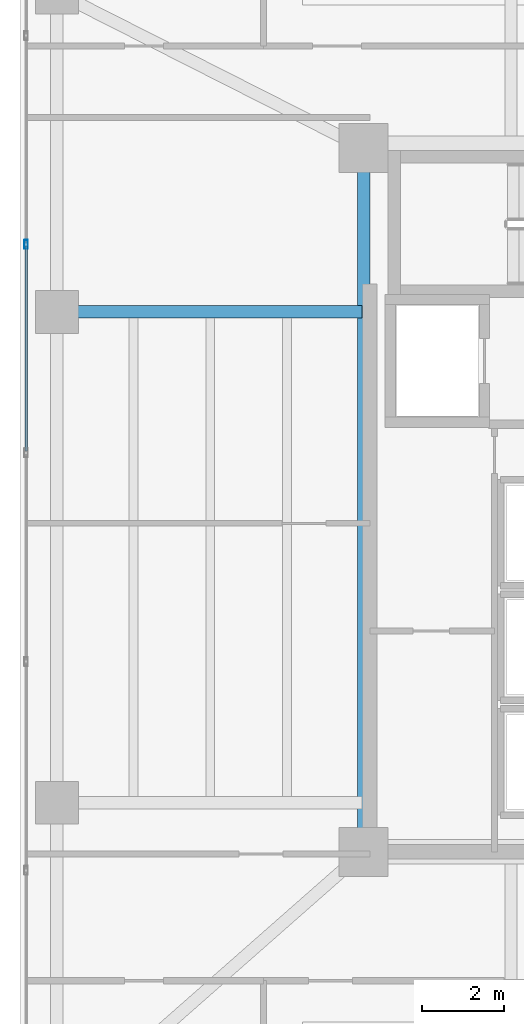
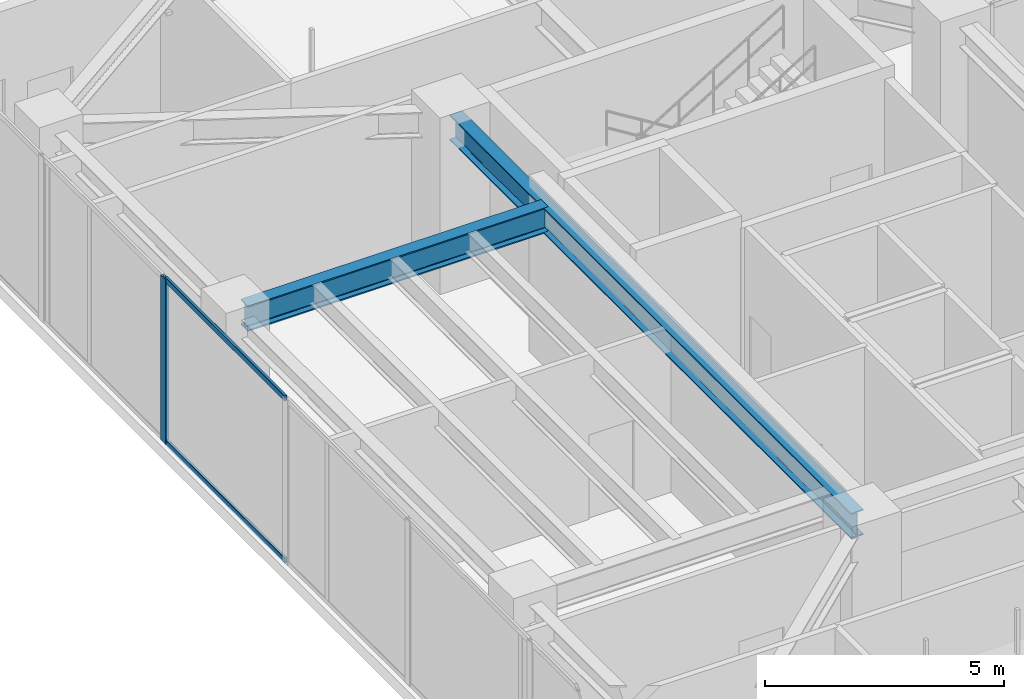
# One storey, part 10 of 38: 3 members, 2 beams, 1 element without a shape of its own.
"""IFC4 building model written with IfcOpenShell, lengths in metres."""

from ifc_helpers import new_model, si_unit, direction, frame, origin, origin_2d, place, context, subcontext, project, spatial, hollow_rectangle, i_section, extrude, material, layer, layer_set, material_profile, profile_set, type_object, element, aggregate, save


model = new_model("IFC4")

# Units and contexts
model_context = context("Model", 3, precision=1e-05, world=origin(), true_north=direction((0.0, 1.0)))
body_context = subcontext(model_context, "Body", "Model", "MODEL_VIEW")
ifc_project = project(units=[si_unit("LENGTHUNIT", "METRE"), si_unit("AREAUNIT", "SQUARE_METRE"), si_unit("VOLUMEUNIT", "CUBIC_METRE"), si_unit("PLANEANGLEUNIT", "RADIAN"), si_unit("MASSUNIT", "GRAM", prefix="KILO")], contexts=[model_context])

# Site, building, storey
site_placement = place(None, origin())
site = spatial("IfcSite", under=ifc_project, at=site_placement, CompositionType="ELEMENT")
building_placement = place(site_placement, origin())
building = spatial("IfcBuilding", under=site, at=building_placement, Name="Tarnavaz Court Tower", CompositionType="ELEMENT")
storey_placement = place(building_placement, frame((0.0, 0.0, 123.0)))
storey = spatial("IfcBuildingStorey", under=building, at=storey_placement, Name="L33", CompositionType="ELEMENT", Elevation=123.0)

# Beams
ifc_material_1 = material(Name="Steel S355", Category="steel")
ifc_material_profile_1 = material_profile(ifc_material_1, i_section(OverallWidth=0.300048828125, OverallDepth=0.64990234375, WebThickness=0.01611328125, FlangeThickness=0.031005859375, FilletRadius=0.027099609375, at=origin_2d()), Name="HEB 650")
ifc_profile_set_1 = profile_set([ifc_material_profile_1], Name="Steel S355")
beam_type = type_object("IfcBeamType", Name="BM-G-HEB650", PredefinedType="USERDEFINED", material=ifc_profile_set_1)
beam_1_placement = place(storey_placement, frame((-18.60009765625, -6.97998046875, 3.875), z_axis=(0.0, 1.0, 0.0), x_axis=(-1.0, 0.0, 0.0)))
element("IfcBeam", 1, at=beam_1_placement, inside=storey, type_object=beam_type, Name="L33 Beam IN-CW-SO-CW-NO", ObjectType="GIRDER", PredefinedType="USERDEFINED", context=body_context, shape_type="SweptSolid", body=[
    extrude(i_section(OverallWidth=0.300048828125, OverallDepth=0.64990234375, WebThickness=0.01611328125, FlangeThickness=0.031005859375, FilletRadius=0.027099609375, at=origin_2d()), origin(), (0.0, 0.0, 1.0), 16.760009765625),
])
beam_2_placement = place(storey_placement, frame((-18.639892578125, 6.0, 3.875), z_axis=(-1.0, 0.0, 0.0), x_axis=(0.0, -1.0, 0.0)))
element("IfcBeam", 2, at=beam_2_placement, inside=storey, type_object=beam_type, Name="L33 Beam RG-14", ObjectType="GIRDER", PredefinedType="USERDEFINED", context=body_context, shape_type="SweptSolid", body=[
    extrude(i_section(OverallWidth=0.300048828125, OverallDepth=0.64990234375, WebThickness=0.01611328125, FlangeThickness=0.031005859375, FilletRadius=0.027099609375, at=origin_2d()), origin(), (0.0, 0.0, 1.0), 7.239990234375),
])

# Curtain wall, members
ifc_material_2 = material(Name="Anodised Aluminium 6063-T6 and Solar Low-E Glazing", Category="aluminium")
ifc_layer = layer(ifc_material_2, 0.199951171875)
ifc_layer_set = layer_set([ifc_layer], Name="Anodised Aluminium 6063-T6 and Solar Low-E Glazing")
curtain_wall_type = type_object("IfcCurtainWallType", Name="CW-SYS-05", PredefinedType="NOTDEFINED", material=ifc_layer_set)
curtain_wall_placement = place(storey_placement, origin())
curtain_wall = element("IfcCurtainWall", 3, at=curtain_wall_placement, inside=storey, type_object=curtain_wall_type, Name="L33 Sky-Portal Curtain Wall 2", PredefinedType="NOTDEFINED")
ifc_material_3 = material(Name="Anodised Aluminium 6063-T6", Category="aluminium")
ifc_material_profile_2 = material_profile(ifc_material_3, hollow_rectangle(XDim=0.0849609375, YDim=0.219970703125, WallThickness=0.006103515625, InnerFilletRadius=0.006103515625, OuterFilletRadius=0.011962890625, at=origin_2d()), Name="ALU RHS 220X85X6")
ifc_profile_set_2 = profile_set([ifc_material_profile_2], Name="Anodised Aluminium 6063-T6")
member_type_1 = type_object("IfcMemberType", Name="CW-MUL-220", PredefinedType="MULLION", material=ifc_profile_set_2)
member_1_placement = place(storey_placement, frame((-26.85009765625, 7.64990234375, 0.0), z_axis=(0.0, 0.0, 1.0), x_axis=(-1.0, 0.0, 0.0)))
member_1 = element("IfcMember", 4, at=member_1_placement, type_object=member_type_1, Name="CW mullion 6", PredefinedType="MULLION", context=body_context, shape_type="SweptSolid", body=[
    extrude(hollow_rectangle(XDim=0.0849609375, YDim=0.219970703125, WallThickness=0.006103515625, InnerFilletRadius=0.006103515625, OuterFilletRadius=0.011962890625, at=origin_2d()), origin(), (0.0, 0.0, 1.0), 4.199951171875),
])
ifc_material_profile_3 = material_profile(ifc_material_3, hollow_rectangle(XDim=0.06494140625, YDim=0.139892578125, WallThickness=0.00390625, InnerFilletRadius=0.00390625, OuterFilletRadius=0.008056640625, at=origin_2d()), Name="ALU RHS 140X65X4")
ifc_profile_set_3 = profile_set([ifc_material_profile_3], Name="Anodised Aluminium 6063-T6")
member_type_2 = type_object("IfcMemberType", Name="CW-TRN-140", PredefinedType="USERDEFINED", material=ifc_profile_set_3)
member_2_placement = place(storey_placement, frame((-26.85009765625, 2.592529296875, 0.032470703125), z_axis=(0.0, 1.0, 0.0), x_axis=(-1.0, 0.0, 0.0)))
member_2 = element("IfcMember", 5, at=member_2_placement, type_object=member_type_2, Name="CW transom 5.1", ObjectType="TRANSOM", PredefinedType="USERDEFINED", context=body_context, shape_type="SweptSolid", body=[
    extrude(hollow_rectangle(XDim=0.06494140625, YDim=0.139892578125, WallThickness=0.00390625, InnerFilletRadius=0.00390625, OuterFilletRadius=0.008056640625, at=origin_2d()), origin(), (0.0, 0.0, 1.0), 5.014892578125),
])
member_3_placement = place(storey_placement, frame((-26.85009765625, 2.592529296875, 4.16748046875), z_axis=(0.0, 1.0, 0.0), x_axis=(-1.0, 0.0, 0.0)))
member_3 = element("IfcMember", 6, at=member_3_placement, type_object=member_type_2, Name="CW transom 5.2", ObjectType="TRANSOM", PredefinedType="USERDEFINED", context=body_context, shape_type="SweptSolid", body=[
    extrude(hollow_rectangle(XDim=0.06494140625, YDim=0.139892578125, WallThickness=0.00390625, InnerFilletRadius=0.00390625, OuterFilletRadius=0.008056640625, at=origin_2d()), origin(), (0.0, 0.0, 1.0), 5.014892578125),
])
aggregate(curtain_wall, [member_1, member_2, member_3])

save(model, "model.ifc")
